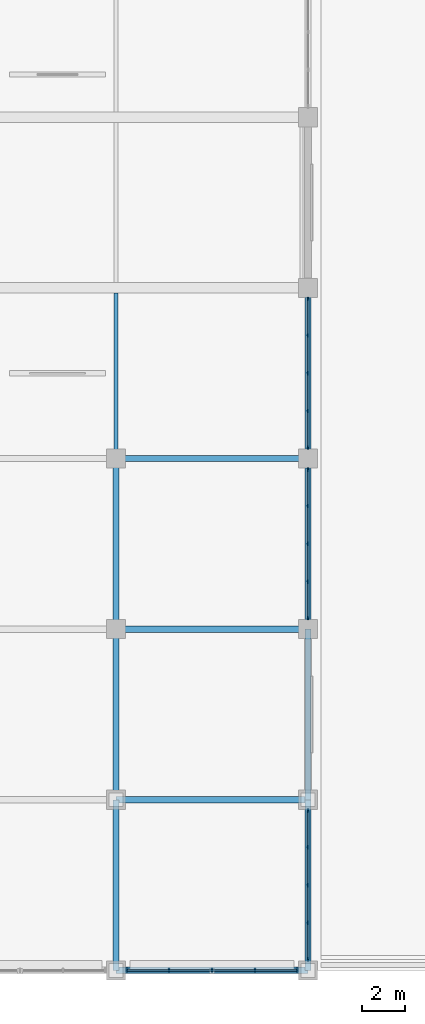
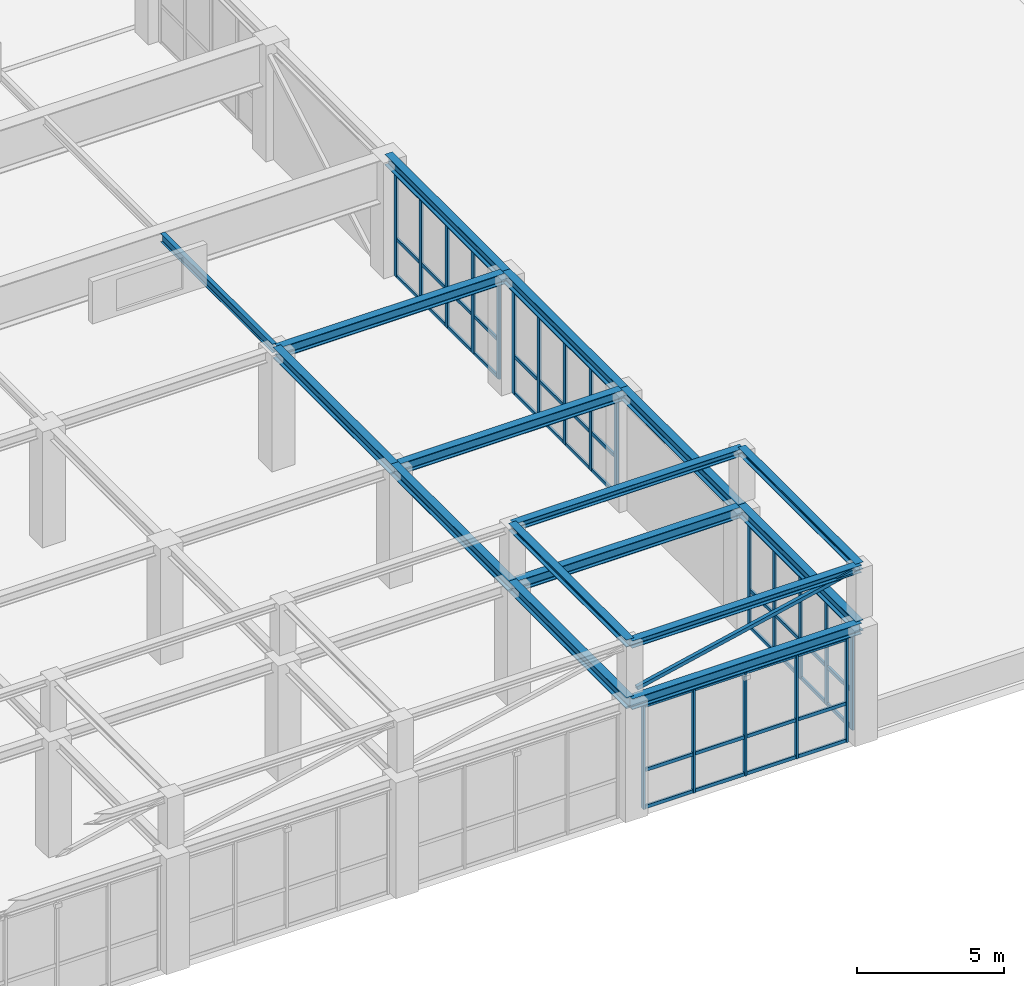
# One storey, part 3 of 34: 33 members, 16 beams, 4 elements without a shape of their own.
"""IFC4 building model written with IfcOpenShell, lengths in metres."""

from ifc_helpers import new_model, si_unit, direction, frame, origin, origin_2d, place, context, subcontext, project, spatial, rectangle, hollow_rectangle, i_section, extrude, material, material_profile, profile_set, type_object, element, aggregate, save


model = new_model("IFC4")

# Units and contexts
model_context = context("Model", 3, precision=1e-05, world=origin(), true_north=direction((0.0, 1.0)))
body_context = subcontext(model_context, "Body", "Model", "MODEL_VIEW")
ifc_project = project(units=[si_unit("LENGTHUNIT", "METRE"), si_unit("AREAUNIT", "SQUARE_METRE"), si_unit("VOLUMEUNIT", "CUBIC_METRE"), si_unit("PLANEANGLEUNIT", "RADIAN"), si_unit("MASSUNIT", "GRAM", prefix="KILO")], contexts=[model_context])

# Site, building, storey
site_placement = place(None, origin())
site = spatial("IfcSite", under=ifc_project, at=site_placement, CompositionType="ELEMENT")
building_placement = place(site_placement, origin())
building = spatial("IfcBuilding", under=site, at=building_placement, Name="Zaverband Oceanarium and Marine Research Institute", CompositionType="ELEMENT")
storey_placement = place(building_placement, frame((0.0, 0.0, 18.0)))
storey = spatial("IfcBuildingStorey", under=building, at=storey_placement, Name="L04", CompositionType="ELEMENT", Elevation=18.0)

# Member
ifc_material_1 = material(Name="Steel S355", Category="steel")
ifc_material_profile_1 = material_profile(ifc_material_1, hollow_rectangle(XDim=0.14990234375, YDim=0.14990234375, WallThickness=0.008056640625, at=origin_2d()), Name="SHS150x150x8")
ifc_profile_set_1 = profile_set([ifc_material_profile_1], Name="Steel S355")
member_type_1 = type_object("IfcMemberType", Name="BR-04", PredefinedType="BRACE", material=ifc_profile_set_1)
member_1_placement = place(storey_placement, frame((99.25, 0.0, 5.10009765625), z_axis=(0.975918540379, 0.0, 0.218135284962), x_axis=(0.0, 1.0, 0.0)))
element("IfcMember", 1, at=member_1_placement, inside=storey, type_object=member_type_1, Name="Diagonal lateral brace BR-04", PredefinedType="BRACE", context=body_context, shape_type="SweptSolid", body=[
    extrude(hollow_rectangle(XDim=0.14990234375, YDim=0.14990234375, WallThickness=0.008056640625, at=origin_2d()), origin(), (0.0, 0.0, 1.0), 8.709716796875),
])

# Curtain wall, members
ifc_material_2 = material(Name="Thermally broken anodized aluminium and solar-control glass", Category="aluminium")
curtain_wall_type = type_object("IfcCurtainWallType", Name="CW-UNIT-1800", PredefinedType="NOTDEFINED", material=ifc_material_2)
curtain_wall_1_placement = place(storey_placement, origin())
curtain_wall_1 = element("IfcCurtainWall", 2, at=curtain_wall_1_placement, inside=storey, type_object=curtain_wall_type, Name="Unitised glazed curtain wall CW-186", PredefinedType="NOTDEFINED")
ifc_material_3 = material(Name="Thermally broken anodized aluminium", Category="aluminium")
ifc_material_profile_2 = material_profile(ifc_material_3, rectangle(XDim=0.080078125, YDim=0.179931640625, at=origin_2d()), Name="AL-MUL-80x180")
ifc_profile_set_2 = profile_set([ifc_material_profile_2], Name="Thermally broken anodized aluminium")
member_type_2 = type_object("IfcMemberType", Name="MUL-80x180", PredefinedType="MULLION", material=ifc_profile_set_2)
member_2_placement = place(storey_placement, frame((99.52001953125, 0.0, 0.0), z_axis=(0.0, 0.0, 1.0), x_axis=(1.0, 0.0, 0.0)))
member_2 = element("IfcMember", 3, at=member_2_placement, type_object=member_type_2, Name="Curtain wall vertical mullion MUL-80x180", PredefinedType="MULLION", context=body_context, shape_type="SweptSolid", body=[
    extrude(rectangle(XDim=0.080078125, YDim=0.179931640625, at=origin_2d()), origin(), (0.0, 0.0, 1.0), 4.300048828125),
])
member_3_placement = place(storey_placement, frame((101.47998046875, 0.0, 0.0), z_axis=(0.0, 0.0, 1.0), x_axis=(1.0, 0.0, 0.0)))
member_3 = element("IfcMember", 4, at=member_3_placement, type_object=member_type_2, Name="Curtain wall vertical mullion MUL-80x180", PredefinedType="MULLION", context=body_context, shape_type="SweptSolid", body=[
    extrude(rectangle(XDim=0.080078125, YDim=0.179931640625, at=origin_2d()), origin(), (0.0, 0.0, 1.0), 4.300048828125),
])
member_4_placement = place(storey_placement, frame((103.5, 0.0, 0.0), z_axis=(0.0, 0.0, 1.0), x_axis=(1.0, 0.0, 0.0)))
member_4 = element("IfcMember", 5, at=member_4_placement, type_object=member_type_2, Name="Curtain wall vertical mullion MUL-80x180", PredefinedType="MULLION", context=body_context, shape_type="SweptSolid", body=[
    extrude(rectangle(XDim=0.080078125, YDim=0.179931640625, at=origin_2d()), origin(), (0.0, 0.0, 1.0), 4.300048828125),
])
member_5_placement = place(storey_placement, frame((105.52001953125, 0.0, 0.0), z_axis=(0.0, 0.0, 1.0), x_axis=(1.0, 0.0, 0.0)))
member_5 = element("IfcMember", 6, at=member_5_placement, type_object=member_type_2, Name="Curtain wall vertical mullion MUL-80x180", PredefinedType="MULLION", context=body_context, shape_type="SweptSolid", body=[
    extrude(rectangle(XDim=0.080078125, YDim=0.179931640625, at=origin_2d()), origin(), (0.0, 0.0, 1.0), 4.300048828125),
])
member_6_placement = place(storey_placement, frame((107.47998046875, 0.0, 0.0), z_axis=(0.0, 0.0, 1.0), x_axis=(1.0, 0.0, 0.0)))
member_6 = element("IfcMember", 7, at=member_6_placement, type_object=member_type_2, Name="Curtain wall vertical mullion MUL-80x180", PredefinedType="MULLION", context=body_context, shape_type="SweptSolid", body=[
    extrude(rectangle(XDim=0.080078125, YDim=0.179931640625, at=origin_2d()), origin(), (0.0, 0.0, 1.0), 4.300048828125),
])

curtain_wall_2_placement = place(storey_placement, origin())
curtain_wall_2 = element("IfcCurtainWall", 8, at=curtain_wall_2_placement, inside=storey, type_object=curtain_wall_type, Name="Unitised glazed curtain wall CW-191", PredefinedType="NOTDEFINED")
member_7_placement = place(storey_placement, frame((108.0, 0.52001953125, 0.0), z_axis=(0.0, 0.0, 1.0), x_axis=(1.0, 0.0, 0.0)))
member_7 = element("IfcMember", 9, at=member_7_placement, type_object=member_type_2, Name="Curtain wall vertical mullion MUL-80x180", PredefinedType="MULLION", context=body_context, shape_type="SweptSolid", body=[
    extrude(rectangle(XDim=0.080078125, YDim=0.179931640625, at=origin_2d()), origin(), (0.0, 0.0, 1.0), 4.300048828125),
])
member_8_placement = place(storey_placement, frame((108.0, 2.22998046875, 0.0), z_axis=(0.0, 0.0, 1.0), x_axis=(1.0, 0.0, 0.0)))
member_8 = element("IfcMember", 10, at=member_8_placement, type_object=member_type_2, Name="Curtain wall vertical mullion MUL-80x180", PredefinedType="MULLION", context=body_context, shape_type="SweptSolid", body=[
    extrude(rectangle(XDim=0.080078125, YDim=0.179931640625, at=origin_2d()), origin(), (0.0, 0.0, 1.0), 4.300048828125),
])
member_9_placement = place(storey_placement, frame((108.0, 4.0, 0.0), z_axis=(0.0, 0.0, 1.0), x_axis=(1.0, 0.0, 0.0)))
member_9 = element("IfcMember", 11, at=member_9_placement, type_object=member_type_2, Name="Curtain wall vertical mullion MUL-80x180", PredefinedType="MULLION", context=body_context, shape_type="SweptSolid", body=[
    extrude(rectangle(XDim=0.080078125, YDim=0.179931640625, at=origin_2d()), origin(), (0.0, 0.0, 1.0), 4.300048828125),
])
member_10_placement = place(storey_placement, frame((108.0, 5.77001953125, 0.0), z_axis=(0.0, 0.0, 1.0), x_axis=(1.0, 0.0, 0.0)))
member_10 = element("IfcMember", 12, at=member_10_placement, type_object=member_type_2, Name="Curtain wall vertical mullion MUL-80x180", PredefinedType="MULLION", context=body_context, shape_type="SweptSolid", body=[
    extrude(rectangle(XDim=0.080078125, YDim=0.179931640625, at=origin_2d()), origin(), (0.0, 0.0, 1.0), 4.300048828125),
])
member_11_placement = place(storey_placement, frame((108.0, 7.47998046875, 0.0), z_axis=(0.0, 0.0, 1.0), x_axis=(1.0, 0.0, 0.0)))
member_11 = element("IfcMember", 13, at=member_11_placement, type_object=member_type_2, Name="Curtain wall vertical mullion MUL-80x180", PredefinedType="MULLION", context=body_context, shape_type="SweptSolid", body=[
    extrude(rectangle(XDim=0.080078125, YDim=0.179931640625, at=origin_2d()), origin(), (0.0, 0.0, 1.0), 4.300048828125),
])

curtain_wall_3_placement = place(storey_placement, origin())
curtain_wall_3 = element("IfcCurtainWall", 14, at=curtain_wall_3_placement, inside=storey, type_object=curtain_wall_type, Name="Unitised glazed curtain wall CW-192", PredefinedType="NOTDEFINED")
member_12_placement = place(storey_placement, frame((108.0, 16.52001953125, 0.0), z_axis=(0.0, 0.0, 1.0), x_axis=(1.0, 0.0, 0.0)))
member_12 = element("IfcMember", 15, at=member_12_placement, type_object=member_type_2, Name="Curtain wall vertical mullion MUL-80x180", PredefinedType="MULLION", context=body_context, shape_type="SweptSolid", body=[
    extrude(rectangle(XDim=0.080078125, YDim=0.179931640625, at=origin_2d()), origin(), (0.0, 0.0, 1.0), 4.300048828125),
])
member_13_placement = place(storey_placement, frame((108.0, 18.22998046875, 0.0), z_axis=(0.0, 0.0, 1.0), x_axis=(1.0, 0.0, 0.0)))
member_13 = element("IfcMember", 16, at=member_13_placement, type_object=member_type_2, Name="Curtain wall vertical mullion MUL-80x180", PredefinedType="MULLION", context=body_context, shape_type="SweptSolid", body=[
    extrude(rectangle(XDim=0.080078125, YDim=0.179931640625, at=origin_2d()), origin(), (0.0, 0.0, 1.0), 4.300048828125),
])
member_14_placement = place(storey_placement, frame((108.0, 20.0, 0.0), z_axis=(0.0, 0.0, 1.0), x_axis=(1.0, 0.0, 0.0)))
member_14 = element("IfcMember", 17, at=member_14_placement, type_object=member_type_2, Name="Curtain wall vertical mullion MUL-80x180", PredefinedType="MULLION", context=body_context, shape_type="SweptSolid", body=[
    extrude(rectangle(XDim=0.080078125, YDim=0.179931640625, at=origin_2d()), origin(), (0.0, 0.0, 1.0), 4.300048828125),
])
member_15_placement = place(storey_placement, frame((108.0, 21.77001953125, 0.0), z_axis=(0.0, 0.0, 1.0), x_axis=(1.0, 0.0, 0.0)))
member_15 = element("IfcMember", 18, at=member_15_placement, type_object=member_type_2, Name="Curtain wall vertical mullion MUL-80x180", PredefinedType="MULLION", context=body_context, shape_type="SweptSolid", body=[
    extrude(rectangle(XDim=0.080078125, YDim=0.179931640625, at=origin_2d()), origin(), (0.0, 0.0, 1.0), 4.300048828125),
])
member_16_placement = place(storey_placement, frame((108.0, 23.47998046875, 0.0), z_axis=(0.0, 0.0, 1.0), x_axis=(1.0, 0.0, 0.0)))
member_16 = element("IfcMember", 19, at=member_16_placement, type_object=member_type_2, Name="Curtain wall vertical mullion MUL-80x180", PredefinedType="MULLION", context=body_context, shape_type="SweptSolid", body=[
    extrude(rectangle(XDim=0.080078125, YDim=0.179931640625, at=origin_2d()), origin(), (0.0, 0.0, 1.0), 4.300048828125),
])

curtain_wall_4_placement = place(storey_placement, origin())
curtain_wall_4 = element("IfcCurtainWall", 20, at=curtain_wall_4_placement, inside=storey, type_object=curtain_wall_type, Name="Unitised glazed curtain wall CW-193", PredefinedType="NOTDEFINED")
member_17_placement = place(storey_placement, frame((108.0, 24.52001953125, 0.0), z_axis=(0.0, 0.0, 1.0), x_axis=(1.0, 0.0, 0.0)))
member_17 = element("IfcMember", 21, at=member_17_placement, type_object=member_type_2, Name="Curtain wall vertical mullion MUL-80x180", PredefinedType="MULLION", context=body_context, shape_type="SweptSolid", body=[
    extrude(rectangle(XDim=0.080078125, YDim=0.179931640625, at=origin_2d()), origin(), (0.0, 0.0, 1.0), 4.300048828125),
])
member_18_placement = place(storey_placement, frame((108.0, 26.22998046875, 0.0), z_axis=(0.0, 0.0, 1.0), x_axis=(1.0, 0.0, 0.0)))
member_18 = element("IfcMember", 22, at=member_18_placement, type_object=member_type_2, Name="Curtain wall vertical mullion MUL-80x180", PredefinedType="MULLION", context=body_context, shape_type="SweptSolid", body=[
    extrude(rectangle(XDim=0.080078125, YDim=0.179931640625, at=origin_2d()), origin(), (0.0, 0.0, 1.0), 4.300048828125),
])
member_19_placement = place(storey_placement, frame((108.0, 28.0, 0.0), z_axis=(0.0, 0.0, 1.0), x_axis=(1.0, 0.0, 0.0)))
member_19 = element("IfcMember", 23, at=member_19_placement, type_object=member_type_2, Name="Curtain wall vertical mullion MUL-80x180", PredefinedType="MULLION", context=body_context, shape_type="SweptSolid", body=[
    extrude(rectangle(XDim=0.080078125, YDim=0.179931640625, at=origin_2d()), origin(), (0.0, 0.0, 1.0), 4.300048828125),
])
member_20_placement = place(storey_placement, frame((108.0, 29.77001953125, 0.0), z_axis=(0.0, 0.0, 1.0), x_axis=(1.0, 0.0, 0.0)))
member_20 = element("IfcMember", 24, at=member_20_placement, type_object=member_type_2, Name="Curtain wall vertical mullion MUL-80x180", PredefinedType="MULLION", context=body_context, shape_type="SweptSolid", body=[
    extrude(rectangle(XDim=0.080078125, YDim=0.179931640625, at=origin_2d()), origin(), (0.0, 0.0, 1.0), 4.300048828125),
])
member_21_placement = place(storey_placement, frame((108.0, 31.47998046875, 0.0), z_axis=(0.0, 0.0, 1.0), x_axis=(1.0, 0.0, 0.0)))
member_21 = element("IfcMember", 25, at=member_21_placement, type_object=member_type_2, Name="Curtain wall vertical mullion MUL-80x180", PredefinedType="MULLION", context=body_context, shape_type="SweptSolid", body=[
    extrude(rectangle(XDim=0.080078125, YDim=0.179931640625, at=origin_2d()), origin(), (0.0, 0.0, 1.0), 4.300048828125),
])

# Beams
ifc_material_profile_3 = material_profile(ifc_material_1, i_section(OverallWidth=0.300048828125, OverallDepth=0.300048828125, WebThickness=0.010986328125, FlangeThickness=0.01904296875, FilletRadius=0.027099609375, at=origin_2d()), Name="HEB300")
ifc_profile_set_3 = profile_set([ifc_material_profile_3], Name="Steel S355")
beam_type_1 = type_object("IfcBeamType", Name="SB-HEB300", PredefinedType="BEAM", material=ifc_profile_set_3)
for number, where, z_axis, x_axis, name in (
    (26, (99.0, 0.0, 7.050048828125), (0.0, 1.0, 0.0), (-1.0, 0.0, 0.0), "Crown frame edge girder SB-HEB300"),
    (27, (108.0, 0.0, 7.050048828125), (0.0, 1.0, 0.0), (-1.0, 0.0, 0.0), "Crown frame edge girder SB-HEB300"),
):
    element("IfcBeam", number, at=place(storey_placement, frame(where, z_axis=z_axis, x_axis=x_axis)), inside=storey, type_object=beam_type_1, Name=name, PredefinedType="BEAM", context=body_context, shape_type="SweptSolid", body=[
        extrude(i_section(OverallWidth=0.300048828125, OverallDepth=0.300048828125, WebThickness=0.010986328125, FlangeThickness=0.01904296875, FilletRadius=0.027099609375, at=origin_2d()), origin(), (0.0, 0.0, 1.0), 8.0),
    ])
for number, where, z_axis, x_axis, name in (
    (28, (99.0, 0.0, 7.050048828125), (1.0, 0.0, 0.0), (0.0, 1.0, 0.0), "Crown frame edge girder SB-HEB300"),
    (29, (99.0, 8.0, 7.050048828125), (1.0, 0.0, 0.0), (0.0, 1.0, 0.0), "Crown frame edge girder SB-HEB300"),
):
    element("IfcBeam", number, at=place(storey_placement, frame(where, z_axis=z_axis, x_axis=x_axis)), inside=storey, type_object=beam_type_1, Name=name, PredefinedType="BEAM", context=body_context, shape_type="SweptSolid", body=[
        extrude(i_section(OverallWidth=0.300048828125, OverallDepth=0.300048828125, WebThickness=0.010986328125, FlangeThickness=0.01904296875, FilletRadius=0.027099609375, at=origin_2d()), origin(), (0.0, 0.0, 1.0), 9.0),
    ])
ifc_material_profile_4 = material_profile(ifc_material_1, i_section(OverallWidth=0.300048828125, OverallDepth=0.449951171875, WebThickness=0.013916015625, FlangeThickness=0.02587890625, FilletRadius=0.027099609375, at=origin_2d()), Name="HEB450")
ifc_profile_set_4 = profile_set([ifc_material_profile_4], Name="Steel S355")
beam_type_2 = type_object("IfcBeamType", Name="SB-HEB450", PredefinedType="BEAM", material=ifc_profile_set_4)
for number, where, z_axis, x_axis, name in (
    (30, (99.0, 0.0, 4.574951171875), (1.0, 0.0, 0.0), (0.0, 1.0, 0.0), "Primary steel canopy girder SB-HEB450"),
    (31, (99.0, 8.0, 4.574951171875), (1.0, 0.0, 0.0), (0.0, 1.0, 0.0), "Primary steel canopy girder SB-HEB450"),
    (32, (99.0, 16.0, 4.574951171875), (1.0, 0.0, 0.0), (0.0, 1.0, 0.0), "Primary steel canopy girder SB-HEB450"),
    (33, (99.0, 24.0, 4.574951171875), (1.0, 0.0, 0.0), (0.0, 1.0, 0.0), "Primary steel canopy girder SB-HEB450"),
):
    element("IfcBeam", number, at=place(storey_placement, frame(where, z_axis=z_axis, x_axis=x_axis)), inside=storey, type_object=beam_type_2, Name=name, PredefinedType="BEAM", context=body_context, shape_type="SweptSolid", body=[
        extrude(i_section(OverallWidth=0.300048828125, OverallDepth=0.449951171875, WebThickness=0.013916015625, FlangeThickness=0.02587890625, FilletRadius=0.027099609375, at=origin_2d()), origin(), (0.0, 0.0, 1.0), 9.0),
    ])
for number, where, z_axis, x_axis, name in (
    (34, (99.0, 0.0, 4.574951171875), (0.0, 1.0, 0.0), (-1.0, 0.0, 0.0), "Primary steel canopy girder SB-HEB450"),
    (35, (99.0, 8.0, 4.574951171875), (0.0, 1.0, 0.0), (-1.0, 0.0, 0.0), "Primary steel canopy girder SB-HEB450"),
    (36, (99.0, 16.0, 4.574951171875), (0.0, 1.0, 0.0), (-1.0, 0.0, 0.0), "Primary steel canopy girder SB-HEB450"),
    (37, (108.0, 0.0, 4.574951171875), (0.0, 1.0, 0.0), (-1.0, 0.0, 0.0), "Primary steel canopy girder SB-HEB450"),
    (38, (108.0, 8.0, 4.574951171875), (0.0, 1.0, 0.0), (-1.0, 0.0, 0.0), "Primary steel canopy girder SB-HEB450"),
    (39, (108.0, 16.0, 4.574951171875), (0.0, 1.0, 0.0), (-1.0, 0.0, 0.0), "Primary steel canopy girder SB-HEB450"),
    (40, (108.0, 24.0, 4.574951171875), (0.0, 1.0, 0.0), (-1.0, 0.0, 0.0), "Primary steel canopy girder SB-HEB450"),
):
    element("IfcBeam", number, at=place(storey_placement, frame(where, z_axis=z_axis, x_axis=x_axis)), inside=storey, type_object=beam_type_2, Name=name, PredefinedType="BEAM", context=body_context, shape_type="SweptSolid", body=[
        extrude(i_section(OverallWidth=0.300048828125, OverallDepth=0.449951171875, WebThickness=0.013916015625, FlangeThickness=0.02587890625, FilletRadius=0.027099609375, at=origin_2d()), origin(), (0.0, 0.0, 1.0), 8.0),
    ])
ifc_material_profile_5 = material_profile(ifc_material_1, i_section(OverallWidth=0.169921875, OverallDepth=0.360107421875, WebThickness=0.008056640625, FlangeThickness=0.0126953125, FilletRadius=0.01806640625, at=origin_2d()), Name="IPE360")
ifc_profile_set_5 = profile_set([ifc_material_profile_5], Name="Steel S355")
beam_type_3 = type_object("IfcBeamType", Name="SB-IPE360", PredefinedType="JOIST", material=ifc_profile_set_5)
beam_placement = place(storey_placement, frame((99.0, 24.14990234375, 4.6201171875), z_axis=(0.0, 1.0, 0.0), x_axis=(-1.0, 0.0, 0.0)))
element("IfcBeam", 41, at=beam_placement, inside=storey, type_object=beam_type_3, Name="Atrium secondary steel joist SB-IPE360", PredefinedType="JOIST", context=body_context, shape_type="SweptSolid", body=[
    extrude(i_section(OverallWidth=0.169921875, OverallDepth=0.360107421875, WebThickness=0.008056640625, FlangeThickness=0.0126953125, FilletRadius=0.01806640625, at=origin_2d()), origin(), (0.0, 0.0, 1.0), 7.60009765625),
])

# Member
ifc_material_profile_6 = material_profile(ifc_material_3, rectangle(XDim=0.080078125, YDim=0.139892578125, at=origin_2d()), Name="AL-TRN-80x140")
ifc_profile_set_6 = profile_set([ifc_material_profile_6], Name="Thermally broken anodized aluminium")
member_type_3 = type_object("IfcMemberType", Name="TRN-80x140", PredefinedType="USERDEFINED", material=ifc_profile_set_6)
member_22_placement = place(storey_placement, frame((99.52001953125, 0.0, 0.050048828125), z_axis=(1.0, 0.0, 0.0), x_axis=(0.0, 1.0, 0.0)))
member_22 = element("IfcMember", 42, at=member_22_placement, type_object=member_type_3, Name="Curtain wall horizontal transom TRN-80x140", ObjectType="TRANSOM", PredefinedType="USERDEFINED", context=body_context, shape_type="SweptSolid", body=[
    extrude(rectangle(XDim=0.080078125, YDim=0.139892578125, at=origin_2d()), origin(), (0.0, 0.0, 1.0), 7.9599609375),
])

member_23_placement = place(storey_placement, frame((99.52001953125, 0.0, 1.5849609375), z_axis=(1.0, 0.0, 0.0), x_axis=(0.0, 1.0, 0.0)))
member_23 = element("IfcMember", 43, at=member_23_placement, type_object=member_type_3, Name="Curtain wall horizontal transom TRN-80x140", ObjectType="TRANSOM", PredefinedType="USERDEFINED", context=body_context, shape_type="SweptSolid", body=[
    extrude(rectangle(XDim=0.080078125, YDim=0.139892578125, at=origin_2d()), origin(), (0.0, 0.0, 1.0), 7.9599609375),
])

member_24_placement = place(storey_placement, frame((99.52001953125, 0.0, 4.25), z_axis=(1.0, 0.0, 0.0), x_axis=(0.0, 1.0, 0.0)))
member_24 = element("IfcMember", 44, at=member_24_placement, type_object=member_type_3, Name="Curtain wall horizontal transom TRN-80x140", ObjectType="TRANSOM", PredefinedType="USERDEFINED", context=body_context, shape_type="SweptSolid", body=[
    extrude(rectangle(XDim=0.080078125, YDim=0.139892578125, at=origin_2d()), origin(), (0.0, 0.0, 1.0), 7.9599609375),
])

aggregate(curtain_wall_1, [member_2, member_3, member_4, member_5, member_6, member_22, member_23, member_24])

member_25_placement = place(storey_placement, frame((108.0, 0.52001953125, 0.050048828125), z_axis=(0.0, 1.0, 0.0), x_axis=(-1.0, 0.0, 0.0)))
member_25 = element("IfcMember", 45, at=member_25_placement, type_object=member_type_3, Name="Curtain wall horizontal transom TRN-80x140", ObjectType="TRANSOM", PredefinedType="USERDEFINED", context=body_context, shape_type="SweptSolid", body=[
    extrude(rectangle(XDim=0.080078125, YDim=0.139892578125, at=origin_2d()), origin(), (0.0, 0.0, 1.0), 6.9599609375),
])

member_26_placement = place(storey_placement, frame((108.0, 0.52001953125, 1.5849609375), z_axis=(0.0, 1.0, 0.0), x_axis=(-1.0, 0.0, 0.0)))
member_26 = element("IfcMember", 46, at=member_26_placement, type_object=member_type_3, Name="Curtain wall horizontal transom TRN-80x140", ObjectType="TRANSOM", PredefinedType="USERDEFINED", context=body_context, shape_type="SweptSolid", body=[
    extrude(rectangle(XDim=0.080078125, YDim=0.139892578125, at=origin_2d()), origin(), (0.0, 0.0, 1.0), 6.9599609375),
])

member_27_placement = place(storey_placement, frame((108.0, 0.52001953125, 4.25), z_axis=(0.0, 1.0, 0.0), x_axis=(-1.0, 0.0, 0.0)))
member_27 = element("IfcMember", 47, at=member_27_placement, type_object=member_type_3, Name="Curtain wall horizontal transom TRN-80x140", ObjectType="TRANSOM", PredefinedType="USERDEFINED", context=body_context, shape_type="SweptSolid", body=[
    extrude(rectangle(XDim=0.080078125, YDim=0.139892578125, at=origin_2d()), origin(), (0.0, 0.0, 1.0), 6.9599609375),
])

aggregate(curtain_wall_2, [member_7, member_8, member_9, member_10, member_11, member_25, member_26, member_27])

member_28_placement = place(storey_placement, frame((108.0, 16.52001953125, 0.050048828125), z_axis=(0.0, 1.0, 0.0), x_axis=(-1.0, 0.0, 0.0)))
member_28 = element("IfcMember", 48, at=member_28_placement, type_object=member_type_3, Name="Curtain wall horizontal transom TRN-80x140", ObjectType="TRANSOM", PredefinedType="USERDEFINED", context=body_context, shape_type="SweptSolid", body=[
    extrude(rectangle(XDim=0.080078125, YDim=0.139892578125, at=origin_2d()), origin(), (0.0, 0.0, 1.0), 6.9599609375),
])

member_29_placement = place(storey_placement, frame((108.0, 16.52001953125, 1.5849609375), z_axis=(0.0, 1.0, 0.0), x_axis=(-1.0, 0.0, 0.0)))
member_29 = element("IfcMember", 49, at=member_29_placement, type_object=member_type_3, Name="Curtain wall horizontal transom TRN-80x140", ObjectType="TRANSOM", PredefinedType="USERDEFINED", context=body_context, shape_type="SweptSolid", body=[
    extrude(rectangle(XDim=0.080078125, YDim=0.139892578125, at=origin_2d()), origin(), (0.0, 0.0, 1.0), 6.9599609375),
])

member_30_placement = place(storey_placement, frame((108.0, 16.52001953125, 4.25), z_axis=(0.0, 1.0, 0.0), x_axis=(-1.0, 0.0, 0.0)))
member_30 = element("IfcMember", 50, at=member_30_placement, type_object=member_type_3, Name="Curtain wall horizontal transom TRN-80x140", ObjectType="TRANSOM", PredefinedType="USERDEFINED", context=body_context, shape_type="SweptSolid", body=[
    extrude(rectangle(XDim=0.080078125, YDim=0.139892578125, at=origin_2d()), origin(), (0.0, 0.0, 1.0), 6.9599609375),
])

aggregate(curtain_wall_3, [member_12, member_13, member_14, member_15, member_16, member_28, member_29, member_30])

member_31_placement = place(storey_placement, frame((108.0, 24.52001953125, 0.050048828125), z_axis=(0.0, 1.0, 0.0), x_axis=(-1.0, 0.0, 0.0)))
member_31 = element("IfcMember", 51, at=member_31_placement, type_object=member_type_3, Name="Curtain wall horizontal transom TRN-80x140", ObjectType="TRANSOM", PredefinedType="USERDEFINED", context=body_context, shape_type="SweptSolid", body=[
    extrude(rectangle(XDim=0.080078125, YDim=0.139892578125, at=origin_2d()), origin(), (0.0, 0.0, 1.0), 6.9599609375),
])

member_32_placement = place(storey_placement, frame((108.0, 24.52001953125, 1.5849609375), z_axis=(0.0, 1.0, 0.0), x_axis=(-1.0, 0.0, 0.0)))
member_32 = element("IfcMember", 52, at=member_32_placement, type_object=member_type_3, Name="Curtain wall horizontal transom TRN-80x140", ObjectType="TRANSOM", PredefinedType="USERDEFINED", context=body_context, shape_type="SweptSolid", body=[
    extrude(rectangle(XDim=0.080078125, YDim=0.139892578125, at=origin_2d()), origin(), (0.0, 0.0, 1.0), 6.9599609375),
])

member_33_placement = place(storey_placement, frame((108.0, 24.52001953125, 4.25), z_axis=(0.0, 1.0, 0.0), x_axis=(-1.0, 0.0, 0.0)))
member_33 = element("IfcMember", 53, at=member_33_placement, type_object=member_type_3, Name="Curtain wall horizontal transom TRN-80x140", ObjectType="TRANSOM", PredefinedType="USERDEFINED", context=body_context, shape_type="SweptSolid", body=[
    extrude(rectangle(XDim=0.080078125, YDim=0.139892578125, at=origin_2d()), origin(), (0.0, 0.0, 1.0), 6.9599609375),
])

aggregate(curtain_wall_4, [member_17, member_18, member_19, member_20, member_21, member_31, member_32, member_33])

save(model, "model.ifc")
